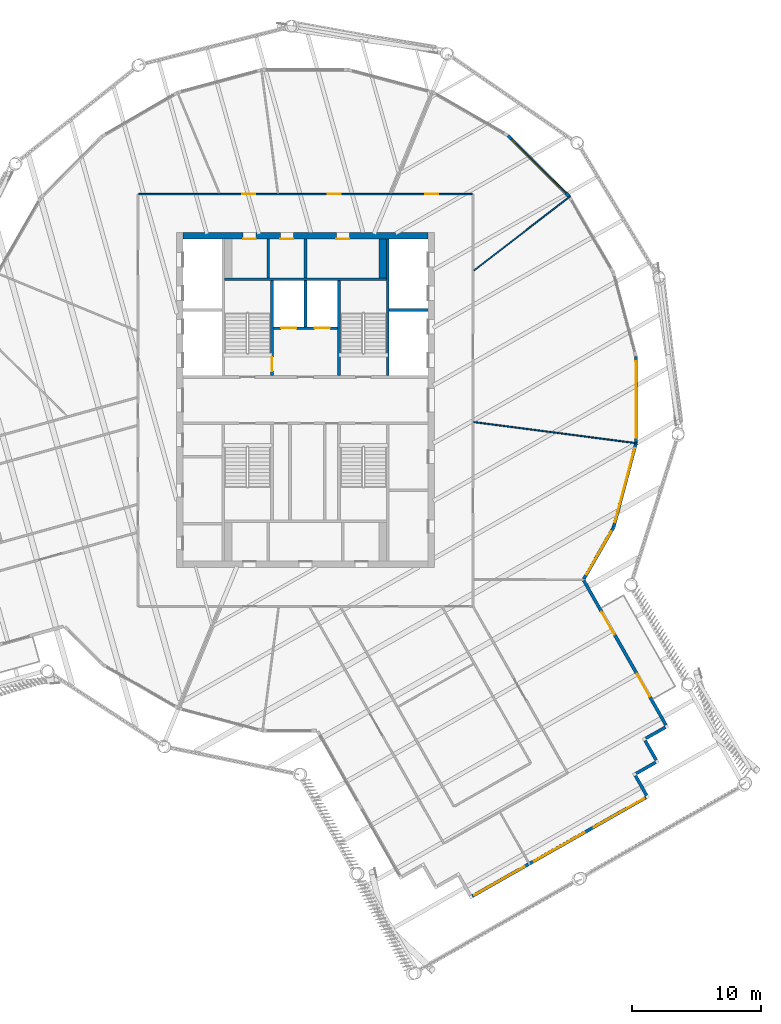
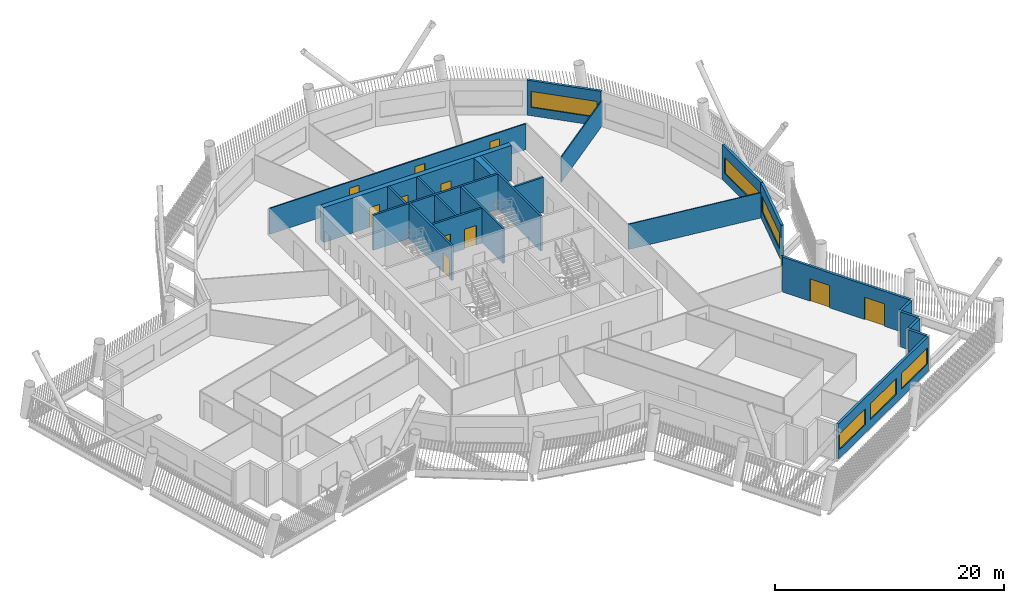
# One storey, part 6 of 21: 24 walls, 11 doors, 7 windows, 18 openings.
"""IFC4 building model written with IfcOpenShell, lengths in metres."""

from ifc_helpers import new_model, si_unit, direction, frame, frame_2d, origin, place, context, subcontext, project, spatial, rectangle, extrude, material, layer, layer_set, type_object, element, fill, save


model = new_model("IFC4")

# Units and contexts
model_context = context("Model", 3, precision=1e-05, world=origin(), true_north=direction((0.0, 1.0)))
body_context = subcontext(model_context, "Body", "Model", "MODEL_VIEW")
ifc_project = project(units=[si_unit("LENGTHUNIT", "METRE"), si_unit("AREAUNIT", "SQUARE_METRE"), si_unit("VOLUMEUNIT", "CUBIC_METRE"), si_unit("PLANEANGLEUNIT", "RADIAN"), si_unit("MASSUNIT", "GRAM", prefix="KILO")], contexts=[model_context])

# Site, building, storey
site_placement = place(None, origin())
site = spatial("IfcSite", under=ifc_project, at=site_placement, CompositionType="ELEMENT")
building_placement = place(site_placement, origin())
building = spatial("IfcBuilding", under=site, at=building_placement, Name="Tarsis Ring Headquarters", CompositionType="ELEMENT")
storey_placement = place(building_placement, frame((0.0, 0.0, 347.0)))
storey = spatial("IfcBuildingStorey", under=building, at=storey_placement, Name="L82", CompositionType="ELEMENT", Elevation=347.0)

# Walls
ifc_material_1 = material(Name="Blockwork", Category="masonry")
ifc_layer_1 = layer(ifc_material_1, 0.199951171875)
ifc_layer_set_1 = layer_set([ifc_layer_1], Name="Core blockwork wall 200")
wall_type_1 = type_object("IfcWallType", Name="Core blockwork wall 200", PredefinedType="PARTITIONING", material=ifc_layer_set_1)
for number, where, z_axis, x_axis, name in (
    (1, (-2.89990234375, 9.5, 0.0), (0.0, 0.0, 1.0), (0.0, 1.0, 0.0), "Core partition ND1"),
    (2, (0.0, 9.5, 0.0), (0.0, 0.0, 1.0), (0.0, 1.0, 0.0), "Core partition ND2"),
):
    element("IfcWall", number, at=place(storey_placement, frame(where, z_axis=z_axis, x_axis=x_axis)), inside=storey, type_object=wall_type_1, Name=name, PredefinedType="PARTITIONING", context=body_context, shape_type="SweptSolid", body=[
        extrude(rectangle(XDim=3.0, YDim=0.199951171875, at=frame_2d((1.5, 0.0))), origin(), (0.0, 0.0, 1.0), 3.739990234375),
    ])

# Wall, openings, doors
ifc_material_2 = material(Name="Concrete C50/60", Category="concrete")
ifc_layer_2 = layer(ifc_material_2, 0.5)
ifc_layer_set_2 = layer_set([ifc_layer_2], Name="Core wall 500 C50/60")
wall_type_2 = type_object("IfcWallType", Name="Core wall 500 C50/60", PredefinedType="SHEAR", material=ifc_layer_set_2)
wall_1_placement = place(storey_placement, frame((-9.5, 12.75, 0.0), z_axis=(0.0, 0.0, 1.0), x_axis=(1.0, 0.0, 0.0)))
wall_1 = element("IfcWall", 3, at=wall_1_placement, inside=storey, type_object=wall_type_2, Name="Core wall ON", PredefinedType="SHEAR", context=body_context, shape_type="SweptSolid", body=[
    extrude(rectangle(XDim=19.0, YDim=0.5, at=frame_2d((9.5, 0.0))), origin(), (0.0, 0.0, 1.0), 3.739990234375),
])
opening_1_placement = place(wall_1_placement, frame((4.64990234375, 0.0, 0.0)))
opening_1 = element("IfcOpeningElement", 4, at=opening_1_placement, cuts=wall_1, Name="Opening L82-C16", PredefinedType="OPENING", context=body_context, shape_type="SweptSolid", body=[
    extrude(rectangle(XDim=1.0, YDim=2.10009765625, at=frame_2d((0.5, 1.050048828125))), frame((0.0, 0.260009765625, 0.0), z_axis=(0.0, -1.0, 0.0), x_axis=(1.0, 0.0, 0.0)), (0.0, 0.0, 1.0), 0.52001953125),
])
opening_2_placement = place(wall_1_placement, frame((7.550048828125, 0.0, 0.0)))
opening_2 = element("IfcOpeningElement", 5, at=opening_2_placement, cuts=wall_1, Name="Opening L82-C17", PredefinedType="OPENING", context=body_context, shape_type="SweptSolid", body=[
    extrude(rectangle(XDim=1.0, YDim=2.10009765625, at=frame_2d((0.5, 1.050048828125))), frame((0.0, 0.260009765625, 0.0), z_axis=(0.0, -1.0, 0.0), x_axis=(1.0, 0.0, 0.0)), (0.0, 0.0, 1.0), 0.52001953125),
])
opening_3_placement = place(wall_1_placement, frame((11.89990234375, 0.0, 0.0)))
opening_3 = element("IfcOpeningElement", 6, at=opening_3_placement, cuts=wall_1, Name="Opening L82-C18", PredefinedType="OPENING", context=body_context, shape_type="SweptSolid", body=[
    extrude(rectangle(XDim=1.0, YDim=2.10009765625, at=frame_2d((0.5, 1.050048828125))), frame((0.0, 0.260009765625, 0.0), z_axis=(0.0, -1.0, 0.0), x_axis=(1.0, 0.0, 0.0)), (0.0, 0.0, 1.0), 0.52001953125),
])
ifc_material_3 = material(Name="Steel S355", Category="steel")
door_type_1 = type_object("IfcDoorType", Name="Core room door 1000x2100", OperationType="SINGLE_SWING_LEFT", PredefinedType="DOOR", material=ifc_material_3)
door_1_placement = place(opening_1_placement, origin())
door_1 = element("IfcDoor", 7, at=door_1_placement, inside=storey, type_object=door_type_1, Name="Core room door L82", OperationType="SINGLE_SWING_LEFT", OverallHeight=2.10009765625, OverallWidth=1.0, PredefinedType="DOOR", context=body_context, shape_type="SweptSolid", body=[
    extrude(rectangle(XDim=1.0, YDim=2.10009765625, at=frame_2d((0.5, 1.050048828125))), frame((0.0, -0.2001953125, 0.0), z_axis=(0.0, -1.0, 0.0), x_axis=(1.0, 0.0, 0.0)), (0.0, 0.0, 1.0), 0.050048828125),
])
fill(opening_1, door_1)
door_2_placement = place(opening_2_placement, origin())
door_2 = element("IfcDoor", 8, at=door_2_placement, inside=storey, type_object=door_type_1, Name="Core room door L82", OperationType="SINGLE_SWING_LEFT", OverallHeight=2.10009765625, OverallWidth=1.0, PredefinedType="DOOR", context=body_context, shape_type="SweptSolid", body=[
    extrude(rectangle(XDim=1.0, YDim=2.10009765625, at=frame_2d((0.5, 1.050048828125))), frame((0.0, -0.2001953125, 0.0), z_axis=(0.0, -1.0, 0.0), x_axis=(1.0, 0.0, 0.0)), (0.0, 0.0, 1.0), 0.050048828125),
])
fill(opening_2, door_2)
door_3_placement = place(opening_3_placement, origin())
door_3 = element("IfcDoor", 9, at=door_3_placement, inside=storey, type_object=door_type_1, Name="Core room door L82", OperationType="SINGLE_SWING_LEFT", OverallHeight=2.10009765625, OverallWidth=1.0, PredefinedType="DOOR", context=body_context, shape_type="SweptSolid", body=[
    extrude(rectangle(XDim=1.0, YDim=2.10009765625, at=frame_2d((0.5, 1.050048828125))), frame((0.0, -0.2001953125, 0.0), z_axis=(0.0, -1.0, 0.0), x_axis=(1.0, 0.0, 0.0)), (0.0, 0.0, 1.0), 0.050048828125),
])
fill(opening_3, door_3)

# Walls
ifc_material_4 = material(Name="Gypsum board on steel studs", Category="steel")
ifc_layer_3 = layer(ifc_material_4, 0.10009765625)
ifc_layer_set_3 = layer_set([ifc_layer_3], Name="FL partition 100 unrated")
wall_type_3 = type_object("IfcWallType", Name="FL partition 100 unrated", PredefinedType="PARTITIONING", material=ifc_layer_set_3)
wall_2_placement = place(storey_placement, frame((13.0693359375, -1.697509765625, 0.0), z_axis=(0.0, 0.0, 1.0), x_axis=(0.991671375807, -0.128793953291, 0.0)))
element("IfcWall", 10, at=wall_2_placement, inside=storey, type_object=wall_type_3, Name="Partition PW3", PredefinedType="PARTITIONING", context=body_context, shape_type="SweptSolid", body=[
    extrude(rectangle(XDim=12.768798828125, YDim=0.10009765625, at=frame_2d((6.38427734375, 0.0))), origin(), (0.0, 0.0, 1.0), 2.699951171875),
])
wall_3_placement = place(storey_placement, frame((13.0791015625, 10.072509765625, 0.0), z_axis=(0.0, 0.0, 1.0), x_axis=(0.792294092984, 0.610139385897, 0.0)))
element("IfcWall", 11, at=wall_3_placement, inside=storey, type_object=wall_type_3, Name="Partition PW3", PredefinedType="PARTITIONING", context=body_context, shape_type="SweptSolid", body=[
    extrude(rectangle(XDim=9.439697265625, YDim=0.10009765625, at=frame_2d((4.7197265625, 0.0))), origin(), (0.0, 0.0, 1.0), 2.699951171875),
])

# Wall, openings, doors
ifc_layer_4 = layer(ifc_material_4, 0.125)
ifc_layer_set_4 = layer_set([ifc_layer_4], Name="FL partition 125 EI 60 H2770")
wall_type_4 = type_object("IfcWallType", Name="FL partition 125 EI 60 H2770", PredefinedType="PARTITIONING", material=ifc_layer_set_4)
wall_4_placement = place(storey_placement, frame((-12.93994140625, 16.0, 0.0), z_axis=(0.0, 0.0, 1.0), x_axis=(1.0, 0.0, 0.0)))
wall_4 = element("IfcWall", 12, at=wall_4_placement, inside=storey, type_object=wall_type_4, Name="Partition PW1", PredefinedType="PARTITIONING", context=body_context, shape_type="SweptSolid", body=[
    extrude(rectangle(XDim=25.8798828125, YDim=0.125, at=frame_2d((12.93994140625, 0.0))), origin(), (0.0, 0.0, 1.0), 2.77001953125),
])
opening_4_placement = place(wall_4_placement, frame((8.04248046875, 0.0, 0.0)))
opening_4 = element("IfcOpeningElement", 13, at=opening_4_placement, cuts=wall_4, Name="Opening D82.05", PredefinedType="OPENING", context=body_context, shape_type="SweptSolid", body=[
    extrude(rectangle(XDim=1.0, YDim=2.10009765625, at=frame_2d((0.5, 1.050048828125))), frame((0.0, 0.072509765625, 0.0), z_axis=(0.0, -1.0, 0.0), x_axis=(1.0, 0.0, 0.0)), (0.0, 0.0, 1.0), 0.14501953125),
])
opening_5_placement = place(wall_4_placement, frame((14.669921875, 0.0, 0.0)))
opening_5 = element("IfcOpeningElement", 14, at=opening_5_placement, cuts=wall_4, Name="Opening D82.06", PredefinedType="OPENING", context=body_context, shape_type="SweptSolid", body=[
    extrude(rectangle(XDim=1.0, YDim=2.10009765625, at=frame_2d((0.5, 1.050048828125))), frame((0.0, 0.072509765625, 0.0), z_axis=(0.0, -1.0, 0.0), x_axis=(1.0, 0.0, 0.0)), (0.0, 0.0, 1.0), 0.14501953125),
])
opening_6_placement = place(wall_4_placement, frame((22.2373046875, 0.0, 0.0)))
opening_6 = element("IfcOpeningElement", 15, at=opening_6_placement, cuts=wall_4, Name="Opening D82.07", PredefinedType="OPENING", context=body_context, shape_type="SweptSolid", body=[
    extrude(rectangle(XDim=1.0, YDim=2.10009765625, at=frame_2d((0.5, 1.050048828125))), frame((0.0, 0.072509765625, 0.0), z_axis=(0.0, -1.0, 0.0), x_axis=(1.0, 0.0, 0.0)), (0.0, 0.0, 1.0), 0.14501953125),
])
ifc_material_5 = material(Name="Fire-rated timber door leaf in steel frame", Category="steel")
door_type_2 = type_object("IfcDoorType", Name="FL door FD60-1000", OperationType="NOTDEFINED", PredefinedType="DOOR", material=ifc_material_5)
door_4_placement = place(opening_4_placement, origin())
door_4 = element("IfcDoor", 16, at=door_4_placement, inside=storey, type_object=door_type_2, Name="Door D82.05", OperationType="SINGLE_SWING_LEFT", OverallHeight=2.10009765625, OverallWidth=1.0, PredefinedType="DOOR", context=body_context, shape_type="SweptSolid", body=[
    extrude(rectangle(XDim=1.0, YDim=2.10009765625, at=frame_2d((0.5, 1.050048828125))), frame((0.0, 0.02490234375, 0.0), z_axis=(0.0, -1.0, 0.0), x_axis=(1.0, 0.0, 0.0)), (0.0, 0.0, 1.0), 0.050048828125),
])
fill(opening_4, door_4)
door_5_placement = place(opening_5_placement, origin())
door_5 = element("IfcDoor", 17, at=door_5_placement, inside=storey, type_object=door_type_2, Name="Door D82.06", OperationType="SINGLE_SWING_RIGHT", OverallHeight=2.10009765625, OverallWidth=1.0, PredefinedType="DOOR", context=body_context, shape_type="SweptSolid", body=[
    extrude(rectangle(XDim=1.0, YDim=2.10009765625, at=frame_2d((0.5, 1.050048828125))), frame((0.0, 0.02490234375, 0.0), z_axis=(0.0, -1.0, 0.0), x_axis=(1.0, 0.0, 0.0)), (0.0, 0.0, 1.0), 0.050048828125),
])
fill(opening_5, door_5)
door_6_placement = place(opening_6_placement, origin())
door_6 = element("IfcDoor", 18, at=door_6_placement, inside=storey, type_object=door_type_2, Name="Door D82.07", OperationType="SINGLE_SWING_LEFT", OverallHeight=2.10009765625, OverallWidth=1.0, PredefinedType="DOOR", context=body_context, shape_type="SweptSolid", body=[
    extrude(rectangle(XDim=1.0, YDim=2.10009765625, at=frame_2d((0.5, 1.050048828125))), frame((0.0, 0.02490234375, 0.0), z_axis=(0.0, -1.0, 0.0), x_axis=(1.0, 0.0, 0.0)), (0.0, 0.0, 1.0), 0.050048828125),
])
fill(opening_6, door_6)

# Wall, openings, windows
ifc_material_6 = material(Name="Terracotta clad insulated panel wall", Category="masonry")
ifc_layer_5 = layer(ifc_material_6, 0.25)
ifc_layer_set_5 = layer_set([ifc_layer_5], Name="Facade wall terracotta panel 250")
wall_type_5 = type_object("IfcWallType", Name="Facade wall terracotta panel 250", PredefinedType="STANDARD", material=ifc_layer_set_5)
wall_5_placement = place(storey_placement, frame((12.957275390625, -38.499267578125, 0.0), z_axis=(0.0, 0.0, 1.0), x_axis=(0.869492687861, 0.49394581257, 0.0)))
wall_5 = element("IfcWall", 19, at=wall_5_placement, inside=storey, type_object=wall_type_5, Name="External wall L82-11", PredefinedType="STANDARD", context=body_context, shape_type="SweptSolid", body=[
    extrude(rectangle(XDim=15.500244140625, YDim=0.25, at=frame_2d((7.75, 0.0))), origin(), (0.0, 0.0, 1.0), 3.739990234375),
])
opening_7_placement = place(wall_5_placement, frame((0.166748046875, 0.0, 0.89990234375)))
opening_7 = element("IfcOpeningElement", 20, at=opening_7_placement, cuts=wall_5, Name="Opening WN04", PredefinedType="OPENING", context=body_context, shape_type="SweptSolid", body=[
    extrude(rectangle(XDim=4.5, YDim=1.699951171875, at=frame_2d((2.25, 0.85009765625))), frame((0.0, 0.135009765625, 0.0), z_axis=(0.0, -1.0, 0.0), x_axis=(1.0, 0.0, 0.0)), (0.0, 0.0, 1.0), 0.27001953125),
])
opening_8_placement = place(wall_5_placement, frame((5.5, 0.0, 0.89990234375)))
opening_8 = element("IfcOpeningElement", 21, at=opening_8_placement, cuts=wall_5, Name="Opening WN04", PredefinedType="OPENING", context=body_context, shape_type="SweptSolid", body=[
    extrude(rectangle(XDim=4.5, YDim=1.699951171875, at=frame_2d((2.25, 0.85009765625))), frame((0.0, 0.135009765625, 0.0), z_axis=(0.0, -1.0, 0.0), x_axis=(1.0, 0.0, 0.0)), (0.0, 0.0, 1.0), 0.27001953125),
])
opening_9_placement = place(wall_5_placement, frame((10.833251953125, 0.0, 0.89990234375)))
opening_9 = element("IfcOpeningElement", 22, at=opening_9_placement, cuts=wall_5, Name="Opening WN04", PredefinedType="OPENING", context=body_context, shape_type="SweptSolid", body=[
    extrude(rectangle(XDim=4.5, YDim=1.699951171875, at=frame_2d((2.25, 0.85009765625))), frame((0.0, 0.135009765625, 0.0), z_axis=(0.0, -1.0, 0.0), x_axis=(1.0, 0.0, 0.0)), (0.0, 0.0, 1.0), 0.27001953125),
])
ifc_material_7 = material(Name="Aluminium framed double glazing", Category="aluminium")
window_type_1 = type_object("IfcWindowType", Name="Facade window 4500 x 1700", PartitioningType="SINGLE_PANEL", PredefinedType="WINDOW", material=ifc_material_7)
window_1_placement = place(opening_7_placement, origin())
window_1 = element("IfcWindow", 23, at=window_1_placement, inside=storey, type_object=window_type_1, Name="Window L82-11.1", OverallHeight=1.699951171875, OverallWidth=4.5, PartitioningType="SINGLE_PANEL", PredefinedType="WINDOW", context=body_context, shape_type="SweptSolid", body=[
    extrude(rectangle(XDim=4.5, YDim=1.699951171875, at=frame_2d((2.25, 0.85009765625))), frame((0.0, 0.030029296875, 0.0), z_axis=(0.0, -1.0, 0.0), x_axis=(1.0, 0.0, 0.0)), (0.0, 0.0, 1.0), 0.06005859375),
])
fill(opening_7, window_1)
window_2_placement = place(opening_8_placement, origin())
window_2 = element("IfcWindow", 24, at=window_2_placement, inside=storey, type_object=window_type_1, Name="Window L82-11.2", OverallHeight=1.699951171875, OverallWidth=4.5, PartitioningType="SINGLE_PANEL", PredefinedType="WINDOW", context=body_context, shape_type="SweptSolid", body=[
    extrude(rectangle(XDim=4.5, YDim=1.699951171875, at=frame_2d((2.25, 0.85009765625))), frame((0.0, 0.030029296875, 0.0), z_axis=(0.0, -1.0, 0.0), x_axis=(1.0, 0.0, 0.0)), (0.0, 0.0, 1.0), 0.06005859375),
])
fill(opening_8, window_2)
window_3_placement = place(opening_9_placement, origin())
window_3 = element("IfcWindow", 25, at=window_3_placement, inside=storey, type_object=window_type_1, Name="Window L82-11.3", OverallHeight=1.699951171875, OverallWidth=4.5, PartitioningType="SINGLE_PANEL", PredefinedType="WINDOW", context=body_context, shape_type="SweptSolid", body=[
    extrude(rectangle(XDim=4.5, YDim=1.699951171875, at=frame_2d((2.25, 0.85009765625))), frame((0.0, 0.030029296875, 0.0), z_axis=(0.0, -1.0, 0.0), x_axis=(1.0, 0.0, 0.0)), (0.0, 0.0, 1.0), 0.06005859375),
])
fill(opening_9, window_3)

# Walls
wall_6_placement = place(storey_placement, frame((26.4814453125, -30.672607421875, 0.0), z_axis=(0.0, 0.0, 1.0), x_axis=(-0.49401899542, 0.869451109703, 0.0)))
element("IfcWall", 26, at=wall_6_placement, inside=storey, type_object=wall_type_5, Name="External wall L82-12", PredefinedType="STANDARD", context=body_context, shape_type="SweptSolid", body=[
    extrude(rectangle(XDim=1.75, YDim=0.25, at=frame_2d((0.875, 0.0))), origin(), (0.0, 0.0, 1.0), 3.739990234375),
])
wall_7_placement = place(storey_placement, frame((25.6640625, -28.98046875, 0.0), z_axis=(0.0, 0.0, 1.0), x_axis=(0.869511032228, 0.49391351959, 0.0)))
element("IfcWall", 27, at=wall_7_placement, inside=storey, type_object=wall_type_5, Name="External wall L82-13", PredefinedType="STANDARD", context=body_context, shape_type="SweptSolid", body=[
    extrude(rectangle(XDim=1.749755859375, YDim=0.25, at=frame_2d((0.875, 0.0))), origin(), (0.0, 0.0, 1.0), 3.739990234375),
])
wall_8_placement = place(storey_placement, frame((27.232666015625, -27.94580078125, 0.0), z_axis=(0.0, 0.0, 1.0), x_axis=(-0.493959076723, 0.86948515256, 0.0)))
element("IfcWall", 28, at=wall_8_placement, inside=storey, type_object=wall_type_5, Name="External wall L82-14", PredefinedType="STANDARD", context=body_context, shape_type="SweptSolid", body=[
    extrude(rectangle(XDim=1.750244140625, YDim=0.25, at=frame_2d((0.875, 0.0))), origin(), (0.0, 0.0, 1.0), 3.739990234375),
])
wall_9_placement = place(storey_placement, frame((26.4150390625, -26.253662109375, 0.0), z_axis=(0.0, 0.0, 1.0), x_axis=(0.869545062894, 0.49385360543, 0.0)))
element("IfcWall", 29, at=wall_9_placement, inside=storey, type_object=wall_type_5, Name="External wall L82-15", PredefinedType="STANDARD", context=body_context, shape_type="SweptSolid", body=[
    extrude(rectangle(XDim=1.75, YDim=0.25, at=frame_2d((0.875, 0.0))), origin(), (0.0, 0.0, 1.0), 3.739990234375),
])

# Wall, openings, doors
wall_10_placement = place(storey_placement, frame((27.983642578125, -25.218994140625, 0.0), z_axis=(0.0, 0.0, 1.0), x_axis=(-0.493940480578, 0.869495716865, 0.0)))
wall_10 = element("IfcWall", 30, at=wall_10_placement, inside=storey, type_object=wall_type_5, Name="External wall L82-16", PredefinedType="STANDARD", context=body_context, shape_type="SweptSolid", body=[
    extrude(rectangle(XDim=12.9013671875, YDim=0.25, at=frame_2d((6.45068359375, 0.0))), origin(), (0.0, 0.0, 1.0), 3.739990234375),
])
opening_10_placement = place(wall_10_placement, frame((2.550048828125, 0.0, 0.0)))
opening_10 = element("IfcOpeningElement", 31, at=opening_10_placement, cuts=wall_10, Name="Opening L82-BD03", PredefinedType="OPENING", context=body_context, shape_type="SweptSolid", body=[
    extrude(rectangle(XDim=2.0, YDim=2.39990234375, at=frame_2d((1.0, 1.199951171875))), frame((0.0, 0.135009765625, 0.0), z_axis=(0.0, -1.0, 0.0), x_axis=(1.0, 0.0, 0.0)), (0.0, 0.0, 1.0), 0.27001953125),
])
opening_11_placement = place(wall_10_placement, frame((8.101318359375, 0.0, 0.0)))
opening_11 = element("IfcOpeningElement", 32, at=opening_11_placement, cuts=wall_10, Name="Opening L82-BD04", PredefinedType="OPENING", context=body_context, shape_type="SweptSolid", body=[
    extrude(rectangle(XDim=2.0, YDim=2.39990234375, at=frame_2d((1.0, 1.199951171875))), frame((0.0, 0.135009765625, 0.0), z_axis=(0.0, -1.0, 0.0), x_axis=(1.0, 0.0, 0.0)), (0.0, 0.0, 1.0), 0.27001953125),
])
door_type_3 = type_object("IfcDoorType", Name="Balcony sliding door 2000 x 2400", OperationType="SLIDING_TO_LEFT", PredefinedType="DOOR", material=ifc_material_7)
door_7_placement = place(opening_10_placement, origin())
door_7 = element("IfcDoor", 33, at=door_7_placement, inside=storey, type_object=door_type_3, Name="Door L82-BD03", OperationType="SINGLE_SWING_LEFT", OverallHeight=2.39990234375, OverallWidth=2.0, PredefinedType="DOOR", context=body_context, shape_type="SweptSolid", body=[
    extrude(rectangle(XDim=2.0, YDim=2.39990234375, at=frame_2d((1.0, 1.199951171875))), frame((0.0, 0.02490234375, 0.0), z_axis=(0.0, -1.0, 0.0), x_axis=(1.0, 0.0, 0.0)), (0.0, 0.0, 1.0), 0.050048828125),
])
fill(opening_10, door_7)
door_8_placement = place(opening_11_placement, origin())
door_8 = element("IfcDoor", 34, at=door_8_placement, inside=storey, type_object=door_type_3, Name="Door L82-BD04", OperationType="SINGLE_SWING_LEFT", OverallHeight=2.39990234375, OverallWidth=2.0, PredefinedType="DOOR", context=body_context, shape_type="SweptSolid", body=[
    extrude(rectangle(XDim=2.0, YDim=2.39990234375, at=frame_2d((1.0, 1.199951171875))), frame((0.0, 0.02490234375, 0.0), z_axis=(0.0, -1.0, 0.0), x_axis=(1.0, 0.0, 0.0)), (0.0, 0.0, 1.0), 0.050048828125),
])
fill(opening_11, door_8)

# Wall, opening, window
wall_11_placement = place(storey_placement, frame((21.611572265625, -13.877197265625, 0.0), z_axis=(0.0, 0.0, 1.0), x_axis=(0.498460197546, 0.866912585825, 0.0)))
wall_11 = element("IfcWall", 35, at=wall_11_placement, inside=storey, type_object=wall_type_5, Name="External wall L82-17", PredefinedType="STANDARD", context=body_context, shape_type="SweptSolid", body=[
    extrude(rectangle(XDim=4.61767578125, YDim=0.25, at=frame_2d((2.308837890625, 0.0))), origin(), (0.0, 0.0, 1.0), 3.739990234375),
])
opening_12_placement = place(wall_11_placement, frame((0.400390625, 0.0, 0.89990234375)))
opening_12 = element("IfcOpeningElement", 36, at=opening_12_placement, cuts=wall_11, Name="Opening WN02", PredefinedType="OPENING", context=body_context, shape_type="SweptSolid", body=[
    extrude(rectangle(XDim=3.85009765625, YDim=1.699951171875, at=frame_2d((1.925048828125, 0.85009765625))), frame((0.0, 0.135009765625, 0.0), z_axis=(0.0, -1.0, 0.0), x_axis=(1.0, 0.0, 0.0)), (0.0, 0.0, 1.0), 0.27001953125),
])
window_type_2 = type_object("IfcWindowType", Name="Facade window 3850 x 1700", PartitioningType="SINGLE_PANEL", PredefinedType="WINDOW", material=ifc_material_7)
window_4_placement = place(opening_12_placement, origin())
window_4 = element("IfcWindow", 37, at=window_4_placement, inside=storey, type_object=window_type_2, Name="Window L82-17.1", OverallHeight=1.699951171875, OverallWidth=3.85009765625, PartitioningType="SINGLE_PANEL", PredefinedType="WINDOW", context=body_context, shape_type="SweptSolid", body=[
    extrude(rectangle(XDim=3.85009765625, YDim=1.699951171875, at=frame_2d((1.925048828125, 0.85009765625))), frame((0.0, 0.030029296875, 0.0), z_axis=(0.0, -1.0, 0.0), x_axis=(1.0, 0.0, 0.0)), (0.0, 0.0, 1.0), 0.06005859375),
])
fill(opening_12, window_4)

wall_12_placement = place(storey_placement, frame((23.92578125, -9.843994140625, 0.0), z_axis=(0.0, 0.0, 1.0), x_axis=(0.257156224129, 0.966369844517, 0.0)))
wall_12 = element("IfcWall", 38, at=wall_12_placement, inside=storey, type_object=wall_type_5, Name="External wall L82-18", PredefinedType="STANDARD", context=body_context, shape_type="SweptSolid", body=[
    extrude(rectangle(XDim=6.7216796875, YDim=0.25, at=frame_2d((3.36083984375, 0.0))), origin(), (0.0, 0.0, 1.0), 3.739990234375),
])
opening_13_placement = place(wall_12_placement, frame((0.3857421875, 0.0, 0.89990234375)))
opening_13 = element("IfcOpeningElement", 39, at=opening_13_placement, cuts=wall_12, Name="Opening WN07", PredefinedType="OPENING", context=body_context, shape_type="SweptSolid", body=[
    extrude(rectangle(XDim=5.949951171875, YDim=1.699951171875, at=frame_2d((2.97509765625, 0.85009765625))), frame((0.0, 0.135009765625, 0.0), z_axis=(0.0, -1.0, 0.0), x_axis=(1.0, 0.0, 0.0)), (0.0, 0.0, 1.0), 0.27001953125),
])
window_type_3 = type_object("IfcWindowType", Name="Facade window 5950 x 1700", PartitioningType="SINGLE_PANEL", PredefinedType="WINDOW", material=ifc_material_7)
window_5_placement = place(opening_13_placement, origin())
window_5 = element("IfcWindow", 40, at=window_5_placement, inside=storey, type_object=window_type_3, Name="Window L82-18.1", OverallHeight=1.699951171875, OverallWidth=5.949951171875, PartitioningType="SINGLE_PANEL", PredefinedType="WINDOW", context=body_context, shape_type="SweptSolid", body=[
    extrude(rectangle(XDim=5.949951171875, YDim=1.699951171875, at=frame_2d((2.97509765625, 0.85009765625))), frame((0.0, 0.030029296875, 0.0), z_axis=(0.0, -1.0, 0.0), x_axis=(1.0, 0.0, 0.0)), (0.0, 0.0, 1.0), 0.06005859375),
])
fill(opening_13, window_5)

wall_13_placement = place(storey_placement, frame((25.658447265625, -3.31591796875, 0.0), z_axis=(0.0, 0.0, 1.0), x_axis=(-0.001743486508, 0.999998480126, 0.0)))
wall_13 = element("IfcWall", 41, at=wall_13_placement, inside=storey, type_object=wall_type_5, Name="External wall L82-19", PredefinedType="STANDARD", context=body_context, shape_type="SweptSolid", body=[
    extrude(rectangle(XDim=6.721435546875, YDim=0.25, at=frame_2d((3.36083984375, 0.0))), origin(), (0.0, 0.0, 1.0), 3.739990234375),
])
opening_14_placement = place(wall_13_placement, frame((0.3857421875, 0.0, 0.89990234375)))
opening_14 = element("IfcOpeningElement", 42, at=opening_14_placement, cuts=wall_13, Name="Opening WN07", PredefinedType="OPENING", context=body_context, shape_type="SweptSolid", body=[
    extrude(rectangle(XDim=5.949951171875, YDim=1.699951171875, at=frame_2d((2.97509765625, 0.85009765625))), frame((0.0, 0.135009765625, 0.0), z_axis=(0.0, -1.0, 0.0), x_axis=(1.0, 0.0, 0.0)), (0.0, 0.0, 1.0), 0.27001953125),
])
window_6_placement = place(opening_14_placement, origin())
window_6 = element("IfcWindow", 43, at=window_6_placement, inside=storey, type_object=window_type_3, Name="Window L82-19.1", OverallHeight=1.699951171875, OverallWidth=5.949951171875, PartitioningType="SINGLE_PANEL", PredefinedType="WINDOW", context=body_context, shape_type="SweptSolid", body=[
    extrude(rectangle(XDim=5.949951171875, YDim=1.699951171875, at=frame_2d((2.97509765625, 0.85009765625))), frame((0.0, 0.030029296875, 0.0), z_axis=(0.0, -1.0, 0.0), x_axis=(1.0, 0.0, 0.0)), (0.0, 0.0, 1.0), 0.06005859375),
])
fill(opening_14, window_6)

wall_14_placement = place(storey_placement, frame((20.488037109375, 15.798583984375, 0.0), z_axis=(0.0, 0.0, 1.0), x_axis=(-0.708358792452, 0.70585254916, 0.0)))
wall_14 = element("IfcWall", 44, at=wall_14_placement, inside=storey, type_object=wall_type_5, Name="External wall L82-22", PredefinedType="STANDARD", context=body_context, shape_type="SweptSolid", body=[
    extrude(rectangle(XDim=6.721435546875, YDim=0.25, at=frame_2d((3.36083984375, 0.0))), origin(), (0.0, 0.0, 1.0), 3.739990234375),
])
opening_15_placement = place(wall_14_placement, frame((0.3857421875, 0.0, 0.89990234375)))
opening_15 = element("IfcOpeningElement", 45, at=opening_15_placement, cuts=wall_14, Name="Opening WN07", PredefinedType="OPENING", context=body_context, shape_type="SweptSolid", body=[
    extrude(rectangle(XDim=5.949951171875, YDim=1.699951171875, at=frame_2d((2.97509765625, 0.85009765625))), frame((0.0, 0.135009765625, 0.0), z_axis=(0.0, -1.0, 0.0), x_axis=(1.0, 0.0, 0.0)), (0.0, 0.0, 1.0), 0.27001953125),
])
window_7_placement = place(opening_15_placement, origin())
window_7 = element("IfcWindow", 46, at=window_7_placement, inside=storey, type_object=window_type_3, Name="Window L82-22.1", OverallHeight=1.699951171875, OverallWidth=5.949951171875, PartitioningType="SINGLE_PANEL", PredefinedType="WINDOW", context=body_context, shape_type="SweptSolid", body=[
    extrude(rectangle(XDim=5.949951171875, YDim=1.699951171875, at=frame_2d((2.97509765625, 0.85009765625))), frame((0.0, 0.030029296875, 0.0), z_axis=(0.0, -1.0, 0.0), x_axis=(1.0, 0.0, 0.0)), (0.0, 0.0, 1.0), 0.06005859375),
])
fill(opening_15, window_7)

# Walls
ifc_material_8 = material(Name="Concrete C32/40", Category="concrete")
ifc_layer_6 = layer(ifc_material_8, 0.60009765625)
ifc_layer_set_6 = layer_set([ifc_layer_6], Name="Shaft end wall 600 C32/40")
wall_type_6 = type_object("IfcWallType", Name="Shaft end wall 600 C32/40", PredefinedType="SOLIDWALL", material=ifc_layer_set_6)
wall_15_placement = place(storey_placement, frame((6.0, 9.5, 0.0), z_axis=(0.0, 0.0, 1.0), x_axis=(0.0, 1.0, 0.0)))
element("IfcWall", 47, at=wall_15_placement, inside=storey, type_object=wall_type_6, Name="Core shaft wall NNE2", PredefinedType="SOLIDWALL", context=body_context, shape_type="SweptSolid", body=[
    extrude(rectangle(XDim=3.0, YDim=0.60009765625, at=frame_2d((1.5, 0.0))), origin(), (0.0, 0.0, 1.0), 3.739990234375),
])
ifc_layer_7 = layer(ifc_material_8, 0.199951171875)
ifc_layer_set_7 = layer_set([ifc_layer_7], Name="Shaft wall 200 C32/40")
wall_type_7 = type_object("IfcWallType", Name="Shaft wall 200 C32/40", PredefinedType="SOLIDWALL", material=ifc_layer_set_7)
wall_16_placement = place(storey_placement, frame((6.39990234375, 1.89990234375, 0.0), z_axis=(0.0, 0.0, 1.0), x_axis=(0.0, 1.0, 0.0)))
element("IfcWall", 48, at=wall_16_placement, inside=storey, type_object=wall_type_7, Name="Core shaft wall EB2", PredefinedType="SOLIDWALL", context=body_context, shape_type="SweptSolid", body=[
    extrude(rectangle(XDim=10.60009765625, YDim=0.199951171875, at=frame_2d((5.300048828125, 0.0))), origin(), (0.0, 0.0, 1.0), 3.739990234375),
])
wall_17_placement = place(storey_placement, frame((-6.300048828125, 9.39990234375, 0.0), z_axis=(0.0, 0.0, 1.0), x_axis=(1.0, 0.0, 0.0)))
element("IfcWall", 49, at=wall_17_placement, inside=storey, type_object=wall_type_7, Name="Core shaft wall NB", PredefinedType="SOLIDWALL", context=body_context, shape_type="SweptSolid", body=[
    extrude(rectangle(XDim=12.60009765625, YDim=0.199951171875, at=frame_2d((6.300048828125, 0.0))), origin(), (0.0, 0.0, 1.0), 3.739990234375),
])

# Wall, opening, door
wall_18_placement = place(storey_placement, frame((-2.60009765625, 1.89990234375, 0.0), z_axis=(0.0, 0.0, 1.0), x_axis=(0.0, 1.0, 0.0)))
wall_18 = element("IfcWall", 50, at=wall_18_placement, inside=storey, type_object=wall_type_7, Name="Core shaft wall SW1", PredefinedType="SOLIDWALL", context=body_context, shape_type="SweptSolid", body=[
    extrude(rectangle(XDim=7.400146484375, YDim=0.199951171875, at=frame_2d((3.7001953125, 0.0))), origin(), (0.0, 0.0, 1.0), 3.739990234375),
])
opening_16_placement = place(wall_18_placement, frame((0.35009765625, 0.0, 0.0)))
opening_16 = element("IfcOpeningElement", 51, at=opening_16_placement, cuts=wall_18, Name="Opening L82-C30", PredefinedType="OPENING", context=body_context, shape_type="SweptSolid", body=[
    extrude(rectangle(XDim=1.10009765625, YDim=2.10009765625, at=frame_2d((0.550048828125, 1.050048828125))), frame((0.0, 0.10986328125, 0.0), z_axis=(0.0, -1.0, 0.0), x_axis=(1.0, 0.0, 0.0)), (0.0, 0.0, 1.0), 0.219970703125),
])
door_type_4 = type_object("IfcDoorType", Name="Stair door 1100x2100", OperationType="SINGLE_SWING_LEFT", PredefinedType="DOOR", material=ifc_material_3)
door_9_placement = place(opening_16_placement, origin())
door_9 = element("IfcDoor", 52, at=door_9_placement, inside=storey, type_object=door_type_4, Name="Stair door L82", OperationType="SINGLE_SWING_LEFT", OverallHeight=2.10009765625, OverallWidth=1.10009765625, PredefinedType="DOOR", context=body_context, shape_type="SweptSolid", body=[
    extrude(rectangle(XDim=1.10009765625, YDim=2.10009765625, at=frame_2d((0.550048828125, 1.050048828125))), frame((0.0, 0.02490234375, 0.0), z_axis=(0.0, -1.0, 0.0), x_axis=(1.0, 0.0, 0.0)), (0.0, 0.0, 1.0), 0.050048828125),
])
fill(opening_16, door_9)

# Wall
wall_19_placement = place(storey_placement, frame((2.60009765625, 1.89990234375, 0.0), z_axis=(0.0, 0.0, 1.0), x_axis=(0.0, 1.0, 0.0)))
element("IfcWall", 53, at=wall_19_placement, inside=storey, type_object=wall_type_7, Name="Core shaft wall SW2", PredefinedType="SOLIDWALL", context=body_context, shape_type="SweptSolid", body=[
    extrude(rectangle(XDim=7.400146484375, YDim=0.199951171875, at=frame_2d((3.7001953125, 0.0))), origin(), (0.0, 0.0, 1.0), 3.739990234375),
])

# Wall, openings, doors
wall_20_placement = place(storey_placement, frame((-2.5, 5.60009765625, 0.0), z_axis=(0.0, 0.0, 1.0), x_axis=(1.0, 0.0, 0.0)))
wall_20 = element("IfcWall", 54, at=wall_20_placement, inside=storey, type_object=wall_type_7, Name="Core shaft wall FFN", PredefinedType="SOLIDWALL", context=body_context, shape_type="SweptSolid", body=[
    extrude(rectangle(XDim=5.0, YDim=0.199951171875, at=frame_2d((2.5, 0.0))), origin(), (0.0, 0.0, 1.0), 3.739990234375),
])
opening_17_placement = place(wall_20_placement, frame((0.60009765625, 0.0, 0.0)))
opening_17 = element("IfcOpeningElement", 55, at=opening_17_placement, cuts=wall_20, Name="Opening LDF-1", PredefinedType="OPENING", context=body_context, shape_type="SweptSolid", body=[
    extrude(rectangle(XDim=1.199951171875, YDim=2.10009765625, at=frame_2d((0.60009765625, 1.050048828125))), frame((0.0, 0.10986328125, 0.0), z_axis=(0.0, -1.0, 0.0), x_axis=(1.0, 0.0, 0.0)), (0.0, 0.0, 1.0), 0.219970703125),
])
opening_18_placement = place(wall_20_placement, frame((3.199951171875, 0.0, 0.0)))
opening_18 = element("IfcOpeningElement", 56, at=opening_18_placement, cuts=wall_20, Name="Opening LDF-2", PredefinedType="OPENING", context=body_context, shape_type="SweptSolid", body=[
    extrude(rectangle(XDim=1.199951171875, YDim=2.10009765625, at=frame_2d((0.60009765625, 1.050048828125))), frame((0.0, 0.10986328125, 0.0), z_axis=(0.0, -1.0, 0.0), x_axis=(1.0, 0.0, 0.0)), (0.0, 0.0, 1.0), 0.219970703125),
])
door_type_5 = type_object("IfcDoorType", Name="Firefighting landing door 1200x2100", OperationType="SLIDING_TO_LEFT", PredefinedType="DOOR", material=ifc_material_3)
door_10_placement = place(opening_17_placement, origin())
door_10 = element("IfcDoor", 57, at=door_10_placement, inside=storey, type_object=door_type_5, Name="Landing door FF1 L82", OperationType="SLIDING_TO_LEFT", OverallHeight=2.10009765625, OverallWidth=1.199951171875, PredefinedType="DOOR", context=body_context, shape_type="SweptSolid", body=[
    extrude(rectangle(XDim=1.199951171875, YDim=2.10009765625, at=frame_2d((0.60009765625, 1.050048828125))), frame((0.0, 0.02490234375, 0.0), z_axis=(0.0, -1.0, 0.0), x_axis=(1.0, 0.0, 0.0)), (0.0, 0.0, 1.0), 0.050048828125),
])
fill(opening_17, door_10)
door_11_placement = place(opening_18_placement, origin())
door_11 = element("IfcDoor", 58, at=door_11_placement, inside=storey, type_object=door_type_5, Name="Landing door FF2 L82", OperationType="SLIDING_TO_LEFT", OverallHeight=2.10009765625, OverallWidth=1.199951171875, PredefinedType="DOOR", context=body_context, shape_type="SweptSolid", body=[
    extrude(rectangle(XDim=1.199951171875, YDim=2.10009765625, at=frame_2d((0.60009765625, 1.050048828125))), frame((0.0, 0.02490234375, 0.0), z_axis=(0.0, -1.0, 0.0), x_axis=(1.0, 0.0, 0.0)), (0.0, 0.0, 1.0), 0.050048828125),
])
fill(opening_18, door_11)

# Walls
wall_21_placement = place(storey_placement, frame((0.0, 5.699951171875, 0.0), z_axis=(0.0, 0.0, 1.0), x_axis=(0.0, 1.0, 0.0)))
element("IfcWall", 59, at=wall_21_placement, inside=storey, type_object=wall_type_7, Name="Core shaft wall FFD", PredefinedType="SOLIDWALL", context=body_context, shape_type="SweptSolid", body=[
    extrude(rectangle(XDim=3.60009765625, YDim=0.199951171875, at=frame_2d((1.800048828125, 0.0))), origin(), (0.0, 0.0, 1.0), 3.739990234375),
])
wall_22_placement = place(storey_placement, frame((6.5, 7.0, 0.0), z_axis=(0.0, 0.0, 1.0), x_axis=(1.0, 0.0, 0.0)))
element("IfcWall", 60, at=wall_22_placement, inside=storey, type_object=wall_type_7, Name="Core shaft wall ED6", PredefinedType="SOLIDWALL", context=body_context, shape_type="SweptSolid", body=[
    extrude(rectangle(XDim=3.0, YDim=0.199951171875, at=frame_2d((1.5, 0.0))), origin(), (0.0, 0.0, 1.0), 3.739990234375),
])

save(model, "model.ifc")
